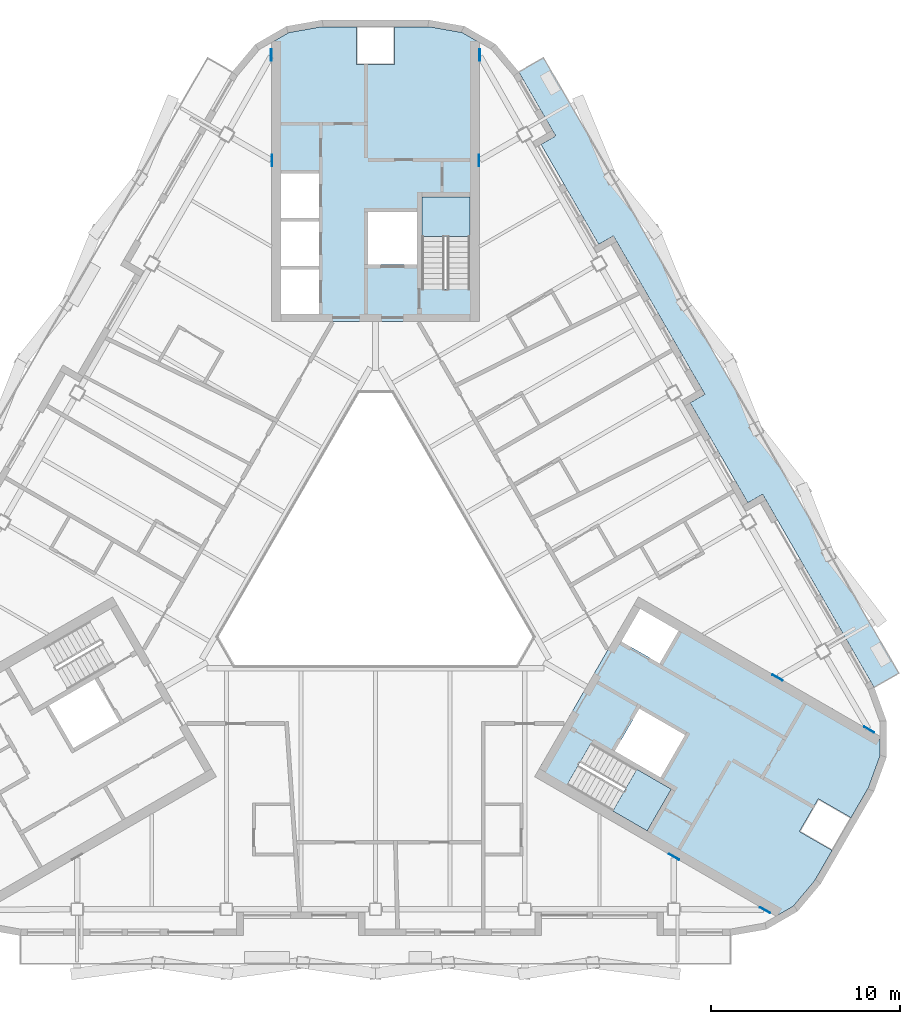
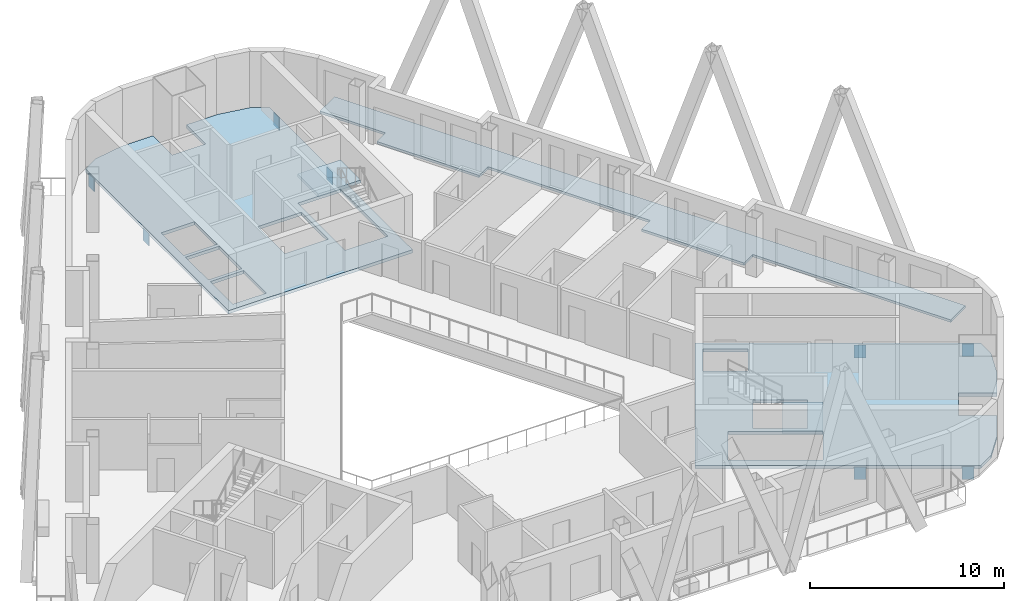
# One storey, part 4 of 18: 8 plates, 5 slabs, 2 elements without a shape of their own.
"""IFC4 building model written with IfcOpenShell, lengths in metres."""

from ifc_helpers import new_model, si_unit, direction, frame, origin, origin_2d, place, context, subcontext, project, spatial, polyline, rectangle, outline, extrude, material, layer, layer_set, type_object, element, aggregate, save


model = new_model("IFC4")

# Units and contexts
model_context = context("Model", 3, precision=1e-05, world=origin(), true_north=direction((0.0, 1.0)))
body_context = subcontext(model_context, "Body", "Model", "MODEL_VIEW")
ifc_project = project(units=[si_unit("LENGTHUNIT", "METRE"), si_unit("AREAUNIT", "SQUARE_METRE"), si_unit("VOLUMEUNIT", "CUBIC_METRE"), si_unit("PLANEANGLEUNIT", "RADIAN"), si_unit("MASSUNIT", "GRAM", prefix="KILO")], contexts=[model_context])

# Site, building, storey
site_placement = place(None, origin())
site = spatial("IfcSite", under=ifc_project, at=site_placement, CompositionType="ELEMENT")
building_placement = place(site_placement, origin())
building = spatial("IfcBuilding", under=site, at=building_placement, Name="Apuvela Tower Hotel", CompositionType="ELEMENT")
storey_placement = place(building_placement, frame((0.0, 0.0, 246.699951171875)))
storey = spatial("IfcBuildingStorey", under=building, at=storey_placement, Name="L60", CompositionType="ELEMENT", Elevation=246.699951171875)

# Slabs
ifc_material_1 = material(Name="Concrete C50/60", Category="concrete")
ifc_layer_1 = layer(ifc_material_1, 0.199951171875)
ifc_layer_set_1 = layer_set([ifc_layer_1], Name="COR-FLOOR-200")
slab_type_1 = type_object("IfcSlabType", Name="COR-FLOOR-200", PredefinedType="FLOOR", material=ifc_layer_set_1)
slab_1_placement = place(storey_placement, frame((0.0, 0.0, -0.199951171875)))
element("IfcSlab", 1, at=slab_1_placement, inside=storey, type_object=slab_type_1, Name="Core floor N", PredefinedType="FLOOR", context=body_context, shape_type="SweptSolid", body=[
    extrude(outline(polyline([(5.5, 27.668212890625), (4.588623046875, 28.1943359375), (2.85498046875, 28.5), (1.0, 28.5), (1.0, 26.5), (-1.0, 26.5), (-1.0, 28.5), (-2.85498046875, 28.5), (-4.588623046875, 28.1943359375), (-5.5, 27.668212890625), (-5.5, 12.89990234375), (5.5, 12.89990234375), (5.5, 27.668212890625)]), holes=[polyline([(-3.0, 13.300048828125), (-5.0, 13.300048828125), (-5.0, 15.639892578125), (-3.0, 15.639892578125), (-3.0, 13.300048828125)]), polyline([(-3.0, 15.840087890625), (-5.0, 15.840087890625), (-5.0, 18.179931640625), (-3.0, 18.179931640625), (-3.0, 15.840087890625)]), polyline([(5.0, 14.60595703125), (2.449951171875, 14.60595703125), (2.449951171875, 19.5), (5.0, 19.5), (5.0, 14.60595703125)]), polyline([(2.199951171875, 18.699951171875), (2.199951171875, 15.89990234375), (-0.39990234375, 15.89990234375), (-0.39990234375, 18.699951171875), (2.199951171875, 18.699951171875)]), polyline([(-3.0, 20.719970703125), (-3.0, 18.3798828125), (-5.0, 18.3798828125), (-5.0, 20.719970703125), (-3.0, 20.719970703125)])]), origin(), (0.0, 0.0, 1.0), 0.199951171875),
])
slab_2_placement = place(storey_placement, frame((0.0, 0.0, -0.199951171875)))
element("IfcSlab", 2, at=slab_2_placement, inside=storey, type_object=slab_type_1, Name="Core floor SE", PredefinedType="FLOOR", context=body_context, shape_type="SweptSolid", body=[
    extrude(outline(polyline([(21.211181640625, -18.59716796875), (22.122802734375, -18.071044921875), (23.254150390625, -16.72265625), (24.181640625, -15.115966796875), (22.44970703125, -14.115966796875), (23.44970703125, -12.384033203125), (25.181640625, -13.384033203125), (26.109375, -11.77734375), (26.711181640625, -10.123291015625), (26.711181640625, -9.07080078125), (13.921630859375, -1.68701171875), (8.421630859375, -11.213134765625), (21.211181640625, -18.59716796875)]), holes=[polyline([(14.01806640625, -2.31982421875), (16.044677734375, -3.489990234375), (15.044677734375, -5.221923828125), (13.01806640625, -4.052001953125), (14.01806640625, -2.31982421875)]), polyline([(10.149169921875, -11.633056640625), (11.42431640625, -9.4248046875), (15.66259765625, -11.871826171875), (14.387451171875, -14.080078125), (10.149169921875, -11.633056640625)]), polyline([(12.669921875, -9.855224609375), (13.9697265625, -7.603515625), (16.394775390625, -9.003662109375), (15.0947265625, -11.25537109375), (12.669921875, -9.855224609375)])]), origin(), (0.0, 0.0, 1.0), 0.199951171875),
])

# Stair, slab
stair_type = type_object("IfcStairType", Name="COR-STAIR-22R", PredefinedType="HALF_TURN_STAIR", material=ifc_material_1)
stair_1_placement = place(storey_placement, origin())
stair_1 = element("IfcStair", 3, at=stair_1_placement, inside=storey, type_object=stair_type, Name="L60 Exit stair ST1", PredefinedType="HALF_TURN_STAIR")
ifc_layer_2 = layer(ifc_material_1, 0.199951171875)
ifc_layer_set_2 = layer_set([ifc_layer_2], Name="COR-LANDING-200")
slab_type_2 = type_object("IfcSlabType", Name="COR-LANDING-200", PredefinedType="LANDING", material=ifc_layer_set_2)
slab_3_placement = place(storey_placement, frame((0.0, 0.0, 1.650146484375)))
slab_3 = element("IfcSlab", 4, at=slab_3_placement, type_object=slab_type_2, Name="ST1 landing 1", PredefinedType="LANDING", context=body_context, shape_type="SweptSolid", body=[
    extrude(outline(polyline([(5.0, 17.39404296875), (5.0, 19.5), (2.449951171875, 19.5), (2.449951171875, 17.39404296875), (5.0, 17.39404296875)])), origin(), (0.0, 0.0, 1.0), 0.199951171875),
])
aggregate(stair_1, [slab_3])

stair_2_placement = place(storey_placement, origin())
stair_2 = element("IfcStair", 5, at=stair_2_placement, inside=storey, type_object=stair_type, Name="L60 Exit stair ST3", PredefinedType="HALF_TURN_STAIR")
slab_4_placement = place(storey_placement, frame((0.0, 0.0, 1.650146484375)))
slab_4 = element("IfcSlab", 6, at=slab_4_placement, type_object=slab_type_2, Name="ST3 landing 1", PredefinedType="LANDING", context=body_context, shape_type="SweptSolid", body=[
    extrude(outline(polyline([(12.563720703125, -13.027099609375), (14.387451171875, -14.080078125), (15.66259765625, -11.871826171875), (13.838623046875, -10.81884765625), (12.563720703125, -13.027099609375)])), origin(), (0.0, 0.0, 1.0), 0.199951171875),
])
aggregate(stair_2, [slab_4])

# Slab
ifc_material_2 = material(Name="Concrete C40/50, fair-faced", Category="concrete")
ifc_layer_3 = layer(ifc_material_2, 0.14990234375)
ifc_layer_set_3 = layer_set([ifc_layer_3], Name="ENV-BALCONY-150")
slab_type_3 = type_object("IfcSlabType", Name="ENV-BALCONY-150", PredefinedType="FLOOR", material=ifc_layer_set_3)
slab_5_placement = place(storey_placement, frame((0.0, 0.0, -0.14990234375)))
element("IfcSlab", 7, at=slab_5_placement, inside=storey, type_object=slab_type_3, Name="Balcony slab NE L60", PredefinedType="FLOOR", context=body_context, shape_type="SweptSolid", body=[
    extrude(outline(polyline([(17.443359375, 9.037353515625), (12.598388671875, 17.42919921875), (11.81884765625, 16.979248046875), (8.763916015625, 22.2705078125), (9.543212890625, 22.720703125), (7.585205078125, 26.11181640625), (8.89306640625, 26.86669921875), (27.7138671875, -5.731689453125), (26.40625, -6.48681640625), (20.498291015625, 3.74609375), (19.71875, 3.2958984375), (16.663818359375, 8.58740234375), (17.443359375, 9.037353515625)])), origin(), (0.0, 0.0, 1.0), 0.14990234375),
])

# Plates
ifc_material_3 = material(Name="Steel S355", Category="steel")
ifc_layer_4 = layer(ifc_material_3, 0.0400390625)
ifc_layer_set_4 = layer_set([ifc_layer_4], Name="STR-CP 40 Steel S355")
plate_type = type_object("IfcPlateType", Name="STR-CP 40 Steel S355", PredefinedType="SHEET", material=ifc_layer_set_4)
for number, where, z_axis, x_axis, name in (
    (8, (20.622802734375, -18.280517578125, -0.85009765625), (0.0, 0.0, 1.0), (-0.5, -0.866025403784, 0.0), "Cast-in plate CP-T2-62 40"),
    (9, (26.142578125, -8.719482421875, -0.85009765625), (0.0, 0.0, 1.0), (0.5, 0.866025403784, 0.0), "Cast-in plate CP-T2-63 40"),
    (10, (5.52001953125, 27.0, -0.85009765625), (0.0, 0.0, 1.0), (1.0, 0.0, 0.0), "Cast-in plate CP-T2-64 40"),
    (11, (-5.52001953125, 27.0, -0.85009765625), (0.0, 0.0, 1.0), (-1.0, 0.0, 0.0), "Cast-in plate CP-T2-65 40"),
    (12, (21.2900390625, -5.964111328125, -0.89990234375), (0.0, 0.0, 1.0), (-0.5, -0.866025403784, 0.0), "Cast-in plate CP-T2-67 40"),
    (13, (5.47998046875, 21.419677734375, -0.89990234375), (0.0, 0.0, 1.0), (-1.0, 0.0, 0.0), "Cast-in plate CP-T2-68 40"),
    (14, (-5.47998046875, 21.419677734375, -0.89990234375), (0.0, 0.0, 1.0), (1.0, 0.0, 0.0), "Cast-in plate CP-T2-69 40"),
    (15, (15.81005859375, -15.455810546875, -0.89990234375), (0.0, 0.0, 1.0), (0.5, 0.866025403784, 0.0), "Cast-in plate CP-T2-72 40"),
):
    element("IfcPlate", number, at=place(storey_placement, frame(where, z_axis=z_axis, x_axis=x_axis)), inside=storey, type_object=plate_type, Name=name, PredefinedType="SHEET", context=body_context, shape_type="SweptSolid", body=[
        extrude(rectangle(XDim=0.0400390625, YDim=0.60009765625, at=origin_2d()), origin(), (0.0, 0.0, 1.0), 0.800048828125),
    ])

save(model, "model.ifc")
